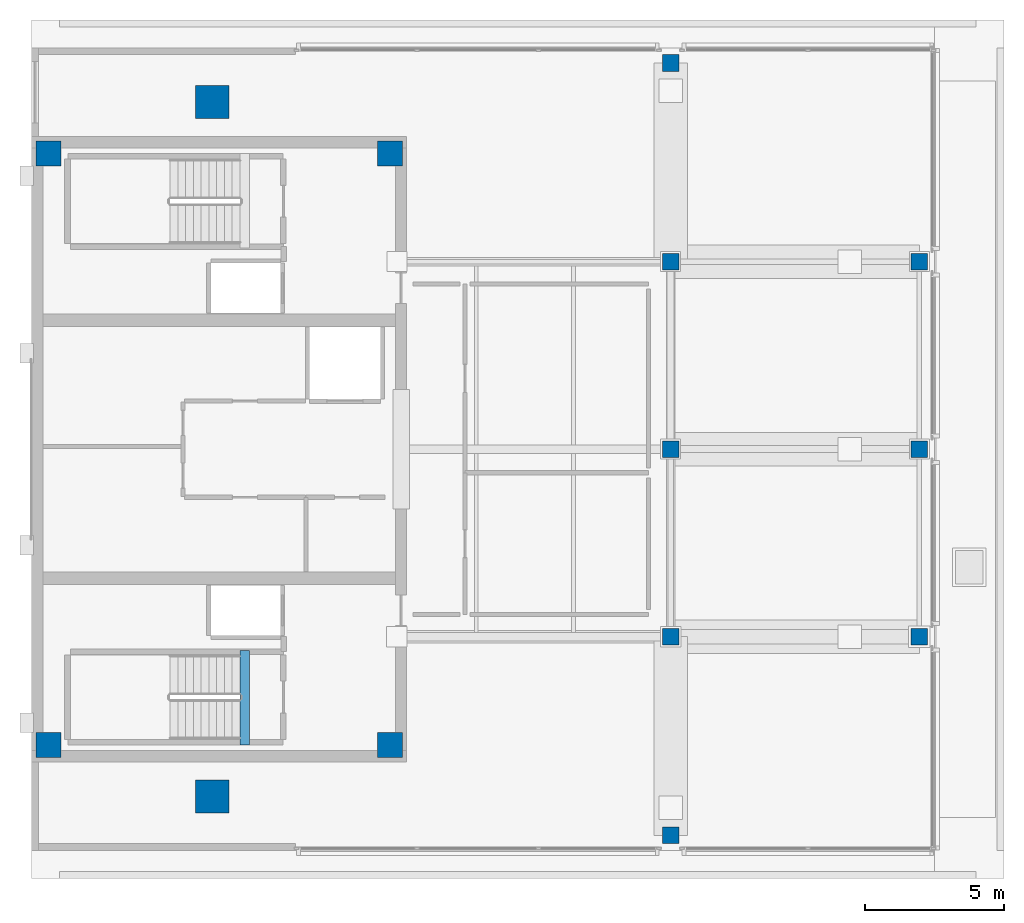
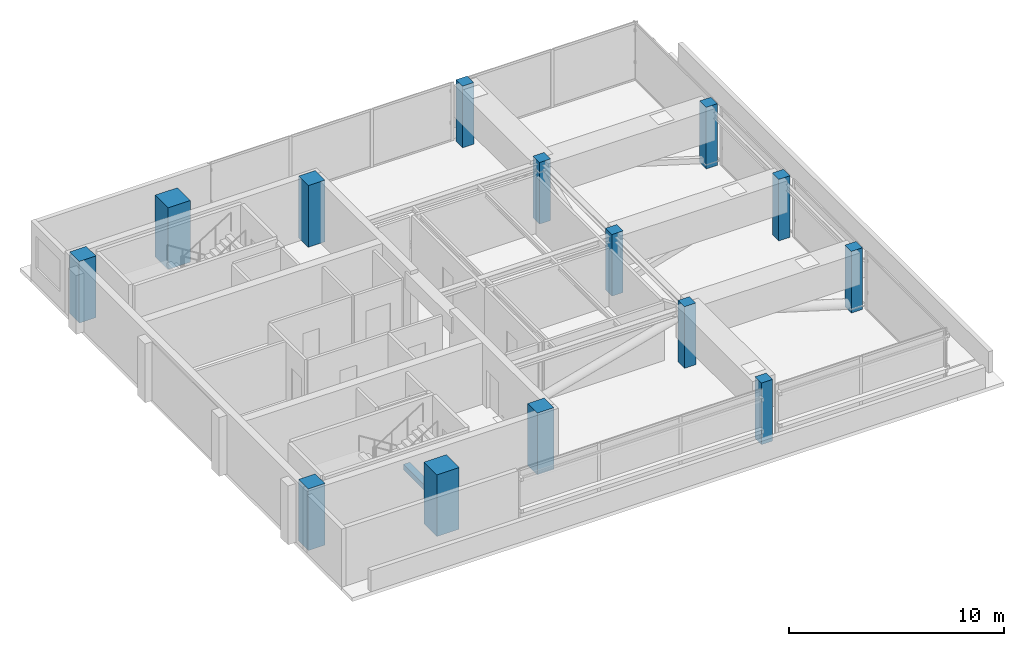
# One storey, part 1 of 10: 14 columns, 1 beam.
"""IFC4 building model written with IfcOpenShell, lengths in metres."""

from ifc_helpers import new_model, si_unit, direction, frame, origin, origin_2d, place, context, subcontext, project, spatial, rectangle, extrude, material, material_profile, profile_set, type_object, element, save


model = new_model("IFC4")

# Units and contexts
model_context = context("Model", 3, precision=1e-05, world=origin(), true_north=direction((0.0, 1.0)))
body_context = subcontext(model_context, "Body", "Model", "MODEL_VIEW")
ifc_project = project(units=[si_unit("LENGTHUNIT", "METRE"), si_unit("AREAUNIT", "SQUARE_METRE"), si_unit("VOLUMEUNIT", "CUBIC_METRE"), si_unit("PLANEANGLEUNIT", "RADIAN"), si_unit("MASSUNIT", "GRAM", prefix="KILO")], contexts=[model_context])

# Site, building, storey
site_placement = place(None, origin())
site = spatial("IfcSite", under=ifc_project, at=site_placement, CompositionType="ELEMENT")
building_placement = place(site_placement, origin())
building = spatial("IfcBuilding", under=site, at=building_placement, Name="Kinhvarn Gate Tower", CompositionType="ELEMENT")
storey_placement = place(building_placement, frame((0.0, 0.0, 311.050048828125)))
storey = spatial("IfcBuildingStorey", under=building, at=storey_placement, Name="L82", CompositionType="ELEMENT", Elevation=311.050048828125)

# Columns
ifc_material_1 = material(Name="Concrete C60/75", Category="concrete")
ifc_material_profile_1 = material_profile(ifc_material_1, rectangle(XDim=1.199951171875, YDim=1.199951171875, at=origin_2d()), Name="RC 1200x1200")
ifc_profile_set_1 = profile_set([ifc_material_profile_1], Name="Concrete C60/75")
column_type_1 = type_object("IfcColumnType", Name="COL-RC-1200", PredefinedType="COLUMN", material=ifc_profile_set_1)
for number, where, z_axis, x_axis, name in (
    (1, (11.0, 12.75, 0.0), (0.0, 0.0, 1.0), (1.0, 0.0, 0.0), "Column MC1-L82 (C-120)"),
    (2, (11.0, 37.75, 0.0), (0.0, 0.0, 1.0), (1.0, 0.0, 0.0), "Column MC4-L82 (C-120)"),
):
    element("IfcColumn", number, at=place(storey_placement, frame(where, z_axis=z_axis, x_axis=x_axis)), inside=storey, type_object=column_type_1, Name=name, PredefinedType="COLUMN", context=body_context, shape_type="SweptSolid", body=[
        extrude(rectangle(XDim=1.199951171875, YDim=1.199951171875, at=origin_2d()), origin(), (0.0, 0.0, 1.0), 3.5),
    ])
ifc_material_2 = material(Name="Concrete C50/60", Category="concrete")
ifc_material_profile_2 = material_profile(ifc_material_2, rectangle(XDim=0.60009765625, YDim=0.60009765625, at=origin_2d()), Name="RC 600x600")
ifc_profile_set_2 = profile_set([ifc_material_profile_2], Name="Concrete C50/60")
column_type_2 = type_object("IfcColumnType", Name="COL-RC-600", PredefinedType="COLUMN", material=ifc_profile_set_2)
for number, where, z_axis, x_axis, name in (
    (3, (36.449951171875, 18.5, 0.0), (0.0, 0.0, 1.0), (1.0, 0.0, 0.0), "Column CCR-E1-L82 (C-060)"),
    (4, (27.5, 18.5, 0.0), (0.0, 0.0, 1.0), (1.0, 0.0, 0.0), "Column CRANC-1-L82 (C-060)"),
    (5, (36.449951171875, 25.25, 0.0), (0.0, 0.0, 1.0), (1.0, 0.0, 0.0), "Column CCR-E2-L82 (C-060)"),
    (6, (27.5, 25.25, 0.0), (0.0, 0.0, 1.0), (1.0, 0.0, 0.0), "Column CRANC-2-L82 (C-060)"),
    (7, (36.449951171875, 32.0, 0.0), (0.0, 0.0, 1.0), (1.0, 0.0, 0.0), "Column CCR-E3-L82 (C-060)"),
    (8, (27.5, 32.0, 0.0), (0.0, 0.0, 1.0), (1.0, 0.0, 0.0), "Column CRANC-3-L82 (C-060)"),
    (9, (27.5, 11.35009765625, 0.0), (0.0, 0.0, 1.0), (1.0, 0.0, 0.0), "Column CCR-S1-L82 (C-060)"),
    (10, (27.5, 39.14990234375, 0.0), (0.0, 0.0, 1.0), (1.0, 0.0, 0.0), "Column CCR-N1-L82 (C-060)"),
):
    element("IfcColumn", number, at=place(storey_placement, frame(where, z_axis=z_axis, x_axis=x_axis)), inside=storey, type_object=column_type_2, Name=name, PredefinedType="COLUMN", context=body_context, shape_type="SweptSolid", body=[
        extrude(rectangle(XDim=0.60009765625, YDim=0.60009765625, at=origin_2d()), origin(), (0.0, 0.0, 1.0), 3.5),
    ])
ifc_material_profile_3 = material_profile(ifc_material_2, rectangle(XDim=0.89990234375, YDim=0.89990234375, at=origin_2d()), Name="RC 900x900")
ifc_profile_set_3 = profile_set([ifc_material_profile_3], Name="Concrete C50/60")
column_type_3 = type_object("IfcColumnType", Name="PIL-RC-900", PredefinedType="PILASTER", material=ifc_profile_set_3)
for number, where, z_axis, x_axis, name in (
    (11, (5.10009765625, 14.60009765625, 0.0), (0.0, 0.0, 1.0), (1.0, 0.0, 0.0), "Column CC-SW-L82 (CP-090)"),
    (12, (5.10009765625, 35.89990234375, 0.0), (0.0, 0.0, 1.0), (1.0, 0.0, 0.0), "Column CC-NW-L82 (CP-090)"),
    (13, (17.39990234375, 14.60009765625, 0.0), (0.0, 0.0, 1.0), (1.0, 0.0, 0.0), "Column CC-SE-L82 (CP-090)"),
    (14, (17.39990234375, 35.89990234375, 0.0), (0.0, 0.0, 1.0), (1.0, 0.0, 0.0), "Column CC-NE-L82 (CP-090)"),
):
    element("IfcColumn", number, at=place(storey_placement, frame(where, z_axis=z_axis, x_axis=x_axis)), inside=storey, type_object=column_type_3, Name=name, PredefinedType="PILASTER", context=body_context, shape_type="SweptSolid", body=[
        extrude(rectangle(XDim=0.89990234375, YDim=0.89990234375, at=origin_2d()), origin(), (0.0, 0.0, 1.0), 3.5),
    ])

# Beam
ifc_material_profile_4 = material_profile(ifc_material_2, rectangle(XDim=0.340087890625, YDim=0.320068359375, at=origin_2d()), Name="RC 340x320")
ifc_profile_set_4 = profile_set([ifc_material_profile_4], Name="Concrete C50/60")
beam_type = type_object("IfcBeamType", Name="BM-LND-500", PredefinedType="BEAM", material=ifc_profile_set_4)
beam_placement = place(storey_placement, frame((12.1650390625, 14.60009765625, -0.16015625), z_axis=(0.0, 1.0, 0.0), x_axis=(-1.0, 0.0, 0.0)))
element("IfcBeam", 15, at=beam_placement, inside=storey, type_object=beam_type, Name="Stair ST1 Landing Nosing Beam (L82)", PredefinedType="BEAM", context=body_context, shape_type="SweptSolid", body=[
    extrude(rectangle(XDim=0.340087890625, YDim=0.320068359375, at=origin_2d()), origin(), (0.0, 0.0, 1.0), 3.39990234375),
])

save(model, "model.ifc")
